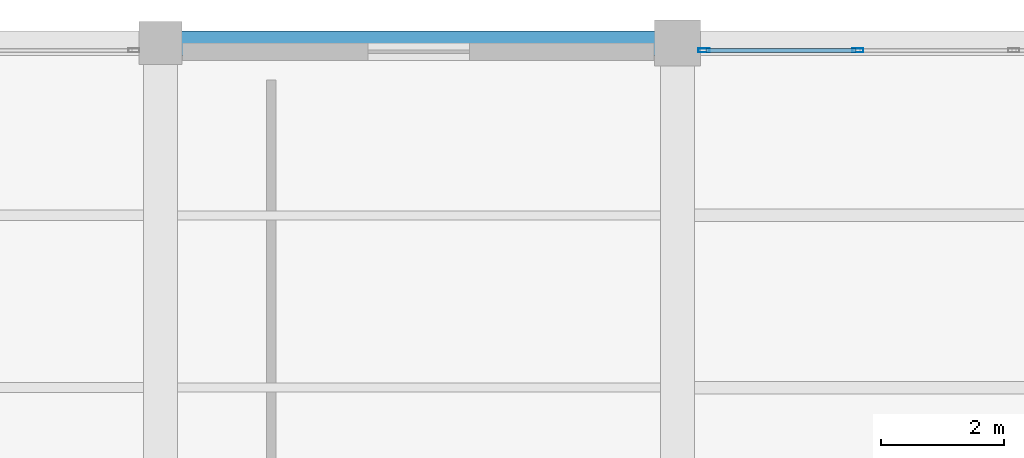
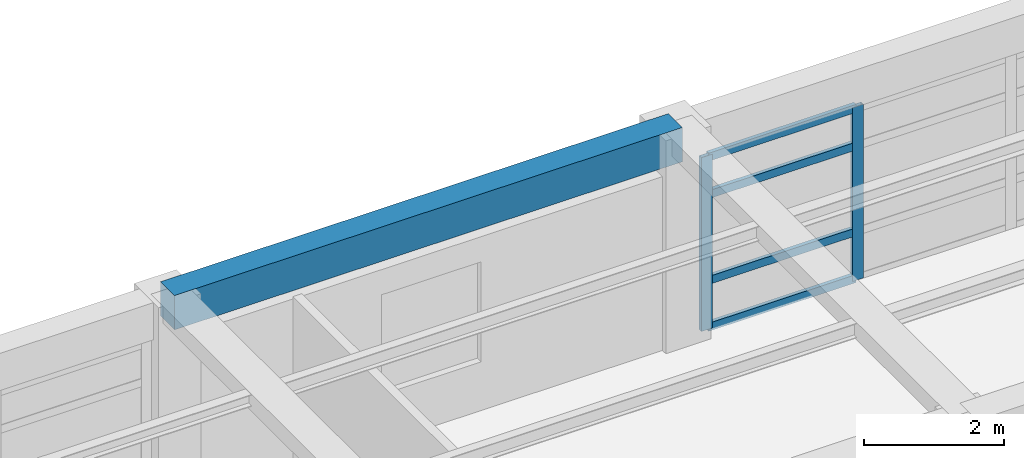
# One storey, part 20 of 26: 6 members, 1 beam, 1 element without a shape of its own.
"""IFC4 building model written with IfcOpenShell, lengths in metres."""

from ifc_helpers import new_model, si_unit, direction, frame, origin, origin_2d, place, context, subcontext, project, spatial, rectangle, hollow_rectangle, extrude, material, material_profile, profile_set, type_object, element, aggregate, save


model = new_model("IFC4")

# Units and contexts
model_context = context("Model", 3, precision=1e-05, world=origin(), true_north=direction((0.0, 1.0)))
body_context = subcontext(model_context, "Body", "Model", "MODEL_VIEW")
ifc_project = project(units=[si_unit("LENGTHUNIT", "METRE"), si_unit("AREAUNIT", "SQUARE_METRE"), si_unit("VOLUMEUNIT", "CUBIC_METRE"), si_unit("PLANEANGLEUNIT", "RADIAN"), si_unit("MASSUNIT", "GRAM", prefix="KILO")], contexts=[model_context])

# Site, building, storey
site_placement = place(None, origin())
site = spatial("IfcSite", under=ifc_project, at=site_placement, CompositionType="ELEMENT")
building_placement = place(site_placement, origin())
building = spatial("IfcBuilding", under=site, at=building_placement, Name="Almacenes y Pasaje Nevantli", CompositionType="ELEMENT")
storey_placement = place(building_placement, frame((0.0, 0.0, 38.699951171875)))
storey = spatial("IfcBuildingStorey", under=building, at=storey_placement, Name="L09", CompositionType="ELEMENT", Elevation=38.699951171875)

# Beam
ifc_material_1 = material(Name="Concrete C35/45", Category="concrete")
ifc_material_profile_1 = material_profile(ifc_material_1, rectangle(XDim=0.39990234375, YDim=0.60009765625, at=origin_2d()), Name="RC-BM-400x600")
ifc_profile_set_1 = profile_set([ifc_material_profile_1], Name="Concrete C35/45")
beam_type = type_object("IfcBeamType", Name="BM-RC-400x600", PredefinedType="SPANDREL", material=ifc_profile_set_1)
beam_placement = place(storey_placement, frame((142.800048828125, 100.800048828125, 3.420166015625), z_axis=(1.0, 0.0, 0.0), x_axis=(0.0, 1.0, 0.0)))
element("IfcBeam", 1, at=beam_placement, inside=storey, type_object=beam_type, Name="L09 East-West Reinforced Concrete Beam #3769", PredefinedType="SPANDREL", context=body_context, shape_type="SweptSolid", body=[
    extrude(rectangle(XDim=0.39990234375, YDim=0.60009765625, at=origin_2d()), origin(), (0.0, 0.0, 1.0), 8.39990234375),
])

# Curtain wall, members
ifc_material_2 = material(Name="Thermally Broken Aluminium and Low-E Glass", Category="aluminium")
curtain_wall_type = type_object("IfcCurtainWallType", Name="CW-UNIT-TOWER", PredefinedType="USERDEFINED", material=ifc_material_2)
curtain_wall_placement = place(storey_placement, origin())
curtain_wall = element("IfcCurtainWall", 2, at=curtain_wall_placement, inside=storey, type_object=curtain_wall_type, Name="L09 Tower North Boulevard Unitized Curtain Wall Bay 19", ObjectType="UNITIZED CURTAIN WALL", PredefinedType="USERDEFINED")
ifc_material_3 = material(Name="Thermally Broken Anodized Aluminium", Category="aluminium")
ifc_material_profile_2 = material_profile(ifc_material_3, hollow_rectangle(XDim=0.06494140625, YDim=0.179931640625, WallThickness=0.00390625, at=origin_2d()), Name="ALU-MUL-65x180")
ifc_profile_set_2 = profile_set([ifc_material_profile_2], Name="Thermally Broken Anodized Aluminium")
member_type_1 = type_object("IfcMemberType", Name="CW-MUL-200", PredefinedType="MULLION", material=ifc_profile_set_2)
member_1_placement = place(storey_placement, frame((151.632568359375, 100.679931640625, 0.0), z_axis=(0.0, 0.0, 1.0), x_axis=(0.0, 1.0, 0.0)))
member_1 = element("IfcMember", 3, at=member_1_placement, type_object=member_type_1, Name="CW-L09-136 mullion 1", PredefinedType="MULLION", context=body_context, shape_type="SweptSolid", body=[
    extrude(hollow_rectangle(XDim=0.06494140625, YDim=0.179931640625, WallThickness=0.00390625, at=origin_2d()), origin(), (0.0, 0.0, 1.0), 3.0400390625),
])
member_2_placement = place(storey_placement, frame((154.13330078125, 100.679931640625, 0.0), z_axis=(0.0, 0.0, 1.0), x_axis=(0.0, 1.0, 0.0)))
member_2 = element("IfcMember", 4, at=member_2_placement, type_object=member_type_1, Name="CW-L09-136 mullion 2", PredefinedType="MULLION", context=body_context, shape_type="SweptSolid", body=[
    extrude(hollow_rectangle(XDim=0.06494140625, YDim=0.179931640625, WallThickness=0.00390625, at=origin_2d()), origin(), (0.0, 0.0, 1.0), 3.0400390625),
])
ifc_material_4 = material(Name="Thermally Broken Anodized Aluminium", Category="aluminium")
ifc_material_profile_3 = material_profile(ifc_material_4, hollow_rectangle(XDim=0.06494140625, YDim=0.139892578125, WallThickness=0.00390625, at=origin_2d()), Name="ALU-TRN-65x140")
ifc_profile_set_3 = profile_set([ifc_material_profile_3], Name="Thermally Broken Anodized Aluminium")
member_type_2 = type_object("IfcMemberType", Name="CW-TRN-150", PredefinedType="USERDEFINED", material=ifc_profile_set_3)
member_3_placement = place(storey_placement, frame((151.6650390625, 100.679931640625, 0.032470703125), z_axis=(1.0, 0.0, 0.0), x_axis=(0.0, 1.0, 0.0)))
member_3 = element("IfcMember", 5, at=member_3_placement, type_object=member_type_2, Name="CW-L09-136 transom 1.1", ObjectType="TRANSOM", PredefinedType="USERDEFINED", context=body_context, shape_type="SweptSolid", body=[
    extrude(hollow_rectangle(XDim=0.06494140625, YDim=0.139892578125, WallThickness=0.00390625, at=origin_2d()), origin(), (0.0, 0.0, 1.0), 2.435791015625),
])
member_4_placement = place(storey_placement, frame((151.6650390625, 100.679931640625, 0.85009765625), z_axis=(1.0, 0.0, 0.0), x_axis=(0.0, 1.0, 0.0)))
member_4 = element("IfcMember", 6, at=member_4_placement, type_object=member_type_2, Name="CW-L09-136 transom 1.2", ObjectType="TRANSOM", PredefinedType="USERDEFINED", context=body_context, shape_type="SweptSolid", body=[
    extrude(hollow_rectangle(XDim=0.06494140625, YDim=0.139892578125, WallThickness=0.00390625, at=origin_2d()), origin(), (0.0, 0.0, 1.0), 2.435791015625),
])
member_5_placement = place(storey_placement, frame((151.6650390625, 100.679931640625, 2.35009765625), z_axis=(1.0, 0.0, 0.0), x_axis=(0.0, 1.0, 0.0)))
member_5 = element("IfcMember", 7, at=member_5_placement, type_object=member_type_2, Name="CW-L09-136 transom 1.3", ObjectType="TRANSOM", PredefinedType="USERDEFINED", context=body_context, shape_type="SweptSolid", body=[
    extrude(hollow_rectangle(XDim=0.06494140625, YDim=0.139892578125, WallThickness=0.00390625, at=origin_2d()), origin(), (0.0, 0.0, 1.0), 2.435791015625),
])
member_6_placement = place(storey_placement, frame((151.6650390625, 100.679931640625, 3.007568359375), z_axis=(1.0, 0.0, 0.0), x_axis=(0.0, 1.0, 0.0)))
member_6 = element("IfcMember", 8, at=member_6_placement, type_object=member_type_2, Name="CW-L09-136 transom 1.4", ObjectType="TRANSOM", PredefinedType="USERDEFINED", context=body_context, shape_type="SweptSolid", body=[
    extrude(hollow_rectangle(XDim=0.06494140625, YDim=0.139892578125, WallThickness=0.00390625, at=origin_2d()), origin(), (0.0, 0.0, 1.0), 2.435791015625),
])
aggregate(curtain_wall, [member_1, member_2, member_3, member_4, member_5, member_6])

save(model, "model.ifc")
